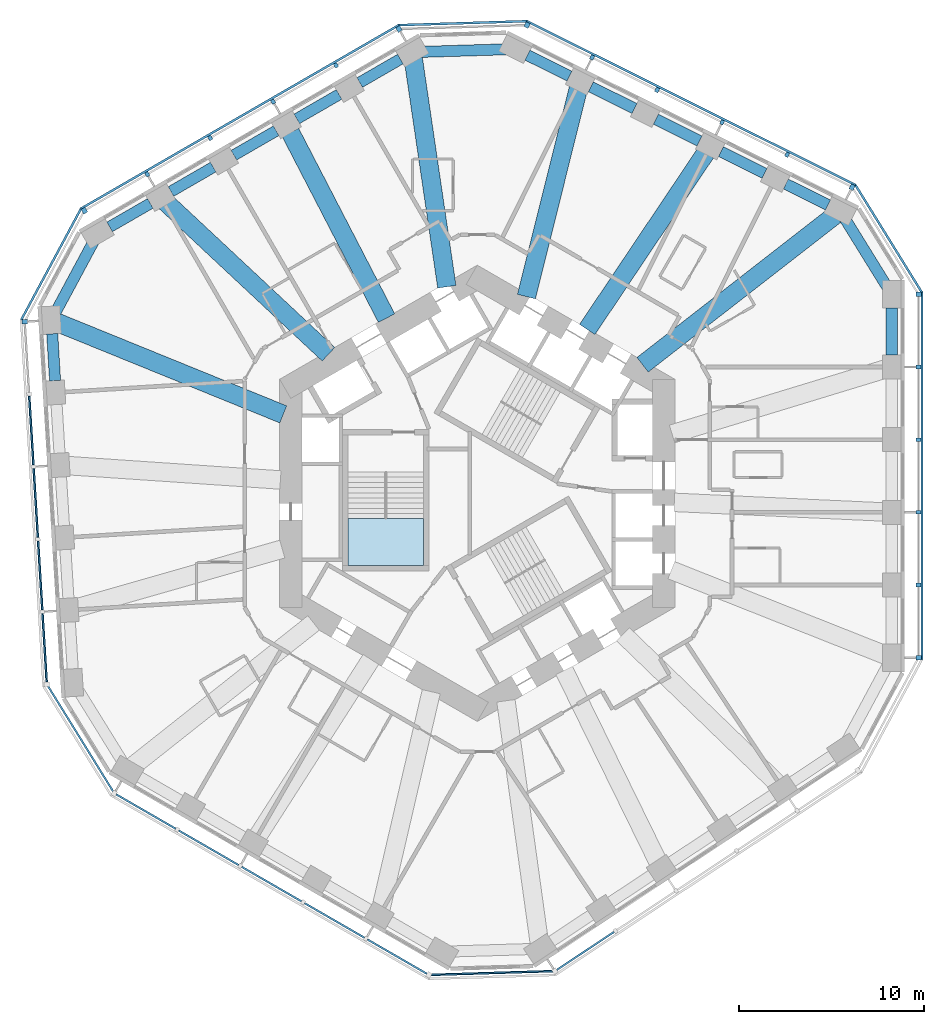
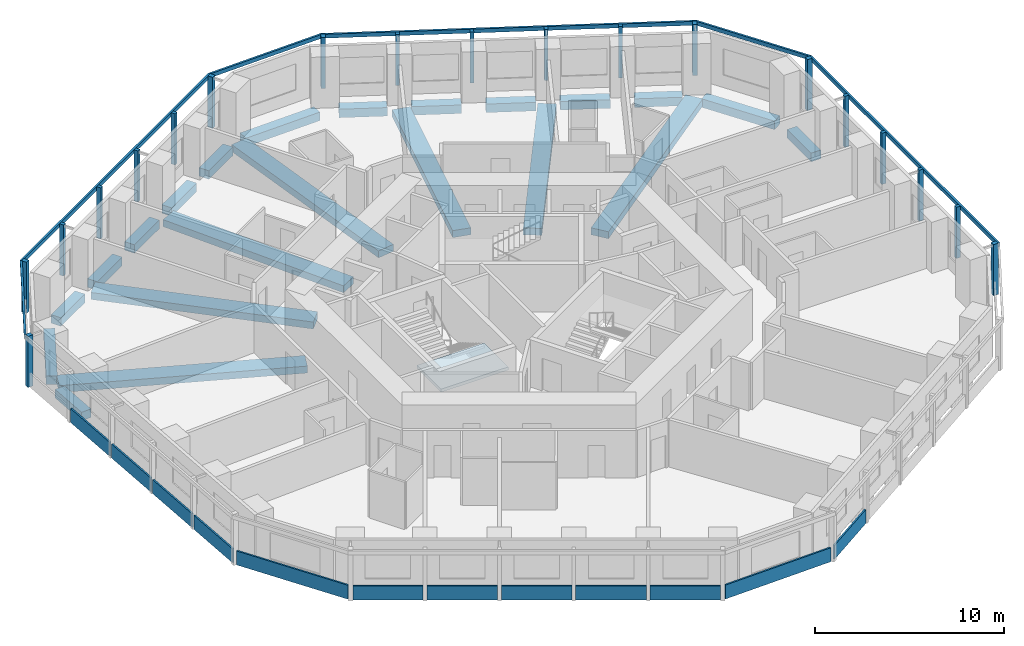
# One storey, part 2 of 12: 25 members, 22 beams, 12 plates, 1 slab, 12 elements without a shape of their own.
"""IFC4 building model written with IfcOpenShell, lengths in metres."""

from ifc_helpers import new_model, si_unit, direction, frame, origin, origin_2d, place, context, subcontext, project, spatial, polyline, rectangle, outline, extrude, material, layer, layer_set, material_profile, profile_set, type_object, element, aggregate, save


model = new_model("IFC4")

# Units and contexts
model_context = context("Model", 3, precision=1e-05, world=origin(), true_north=direction((0.0, 1.0)))
body_context = subcontext(model_context, "Body", "Model", "MODEL_VIEW")
ifc_project = project(units=[si_unit("LENGTHUNIT", "METRE"), si_unit("AREAUNIT", "SQUARE_METRE"), si_unit("VOLUMEUNIT", "CUBIC_METRE"), si_unit("PLANEANGLEUNIT", "RADIAN"), si_unit("MASSUNIT", "GRAM", prefix="KILO")], contexts=[model_context])

# Site, building, storey
site_placement = place(None, origin())
site = spatial("IfcSite", under=ifc_project, at=site_placement, CompositionType="ELEMENT")
building_placement = place(site_placement, origin())
building = spatial("IfcBuilding", under=site, at=building_placement, Name="Vanh Sen Convention Tower", CompositionType="ELEMENT")
storey_placement = place(building_placement, frame((0.0, 0.0, 44.0)))
storey = spatial("IfcBuildingStorey", under=building, at=storey_placement, Name="L07", CompositionType="ELEMENT", Elevation=44.0)

# Curtain wall, members
ifc_material_1 = material(Name="Concrete C50/60", Category="concrete")
curtain_wall_type = type_object("IfcCurtainWallType", Name="Outer skin hotel zone", PredefinedType="NOTDEFINED", material=ifc_material_1)
curtain_wall_1_placement = place(storey_placement, origin())
curtain_wall_1 = element("IfcCurtainWall", 1, at=curtain_wall_1_placement, inside=storey, type_object=curtain_wall_type, Name="OUTER SKIN E L07", PredefinedType="NOTDEFINED")
ifc_material_profile_1 = material_profile(ifc_material_1, rectangle(XDim=0.25, YDim=0.300048828125, at=origin_2d()), Name="Outer skin precast corner fin 250 x 300")
ifc_profile_set_1 = profile_set([ifc_material_profile_1], Name="Concrete C50/60")
member_type_1 = type_object("IfcMemberType", Name="Outer skin precast corner fin 250 x 300", PredefinedType="MULLION", material=ifc_profile_set_1)
member_1_placement = place(storey_placement, frame((23.89990234375, -8.899169921875, 0.0), z_axis=(0.0, 0.0, 1.0), x_axis=(0.0, 1.0, 0.0)))
member_1 = element("IfcMember", 2, at=member_1_placement, type_object=member_type_1, Name="OUTER SKIN CORNER FIN 1 E L07", PredefinedType="MULLION", context=body_context, shape_type="SweptSolid", body=[
    extrude(rectangle(XDim=0.25, YDim=0.300048828125, at=origin_2d()), origin(), (0.0, 0.0, 1.0), 3.300048828125),
])
member_2_placement = place(storey_placement, frame((23.89990234375, 10.773681640625, 0.0), z_axis=(0.0, 0.0, 1.0), x_axis=(0.0, 1.0, 0.0)))
member_2 = element("IfcMember", 3, at=member_2_placement, type_object=member_type_1, Name="OUTER SKIN CORNER FIN 6 E L07", PredefinedType="MULLION", context=body_context, shape_type="SweptSolid", body=[
    extrude(rectangle(XDim=0.25, YDim=0.300048828125, at=origin_2d()), origin(), (0.0, 0.0, 1.0), 3.300048828125),
])

curtain_wall_2_placement = place(storey_placement, origin())
curtain_wall_2 = element("IfcCurtainWall", 4, at=curtain_wall_2_placement, inside=storey, type_object=curtain_wall_type, Name="OUTER SKIN NE L07", PredefinedType="NOTDEFINED")
member_3_placement = place(storey_placement, frame((20.305908203125, 16.581787109375, 0.0), z_axis=(0.0, 0.0, 1.0), x_axis=(-0.894934361602, 0.44619781311, 0.0)))
member_3 = element("IfcMember", 5, at=member_3_placement, type_object=member_type_1, Name="OUTER SKIN CORNER FIN 1 NE L07", PredefinedType="MULLION", context=body_context, shape_type="SweptSolid", body=[
    extrude(rectangle(XDim=0.25, YDim=0.300048828125, at=origin_2d()), origin(), (0.0, 0.0, 1.0), 3.300048828125),
])
member_4_placement = place(storey_placement, frame((2.699951171875, 25.35986328125, 0.0), z_axis=(0.0, 0.0, 1.0), x_axis=(-0.894934361602, 0.44619781311, 0.0)))
member_4 = element("IfcMember", 6, at=member_4_placement, type_object=member_type_1, Name="OUTER SKIN CORNER FIN 6 NE L07", PredefinedType="MULLION", context=body_context, shape_type="SweptSolid", body=[
    extrude(rectangle(XDim=0.25, YDim=0.300048828125, at=origin_2d()), origin(), (0.0, 0.0, 1.0), 3.300048828125),
])

curtain_wall_3_placement = place(storey_placement, origin())
curtain_wall_3 = element("IfcCurtainWall", 7, at=curtain_wall_3_placement, inside=storey, type_object=curtain_wall_type, Name="OUTER SKIN NW L07", PredefinedType="NOTDEFINED")
member_5_placement = place(storey_placement, frame((-4.242919921875, 25.147705078125, 0.0), z_axis=(0.0, 0.0, 1.0), x_axis=(-0.866025403784, -0.5, 0.0)))
member_5 = element("IfcMember", 8, at=member_5_placement, type_object=member_type_1, Name="OUTER SKIN CORNER FIN 1 NW L07", PredefinedType="MULLION", context=body_context, shape_type="SweptSolid", body=[
    extrude(rectangle(XDim=0.25, YDim=0.300048828125, at=origin_2d()), origin(), (0.0, 0.0, 1.0), 3.300048828125),
])
member_6_placement = place(storey_placement, frame((-21.2802734375, 15.31103515625, 0.0), z_axis=(0.0, 0.0, 1.0), x_axis=(-0.866025403784, -0.5, 0.0)))
member_6 = element("IfcMember", 9, at=member_6_placement, type_object=member_type_1, Name="OUTER SKIN CORNER FIN 6 NW L07", PredefinedType="MULLION", context=body_context, shape_type="SweptSolid", body=[
    extrude(rectangle(XDim=0.25, YDim=0.300048828125, at=origin_2d()), origin(), (0.0, 0.0, 1.0), 3.300048828125),
])

# Curtain wall, member
curtain_wall_4_placement = place(storey_placement, origin())
curtain_wall_4 = element("IfcCurtainWall", 10, at=curtain_wall_4_placement, inside=storey, type_object=curtain_wall_type, Name="OUTER SKIN W L07", PredefinedType="NOTDEFINED")
member_7_placement = place(storey_placement, frame((-24.51318359375, 9.294677734375, 0.0), z_axis=(0.0, 0.0, 1.0), x_axis=(0.061048539535, -0.998134798422, 0.0)))
member_7 = element("IfcMember", 11, at=member_7_placement, type_object=member_type_1, Name="OUTER SKIN CORNER FIN 1 W L07", PredefinedType="MULLION", context=body_context, shape_type="SweptSolid", body=[
    extrude(rectangle(XDim=0.25, YDim=0.300048828125, at=origin_2d()), origin(), (0.0, 0.0, 1.0), 3.300048828125),
])

# Member
ifc_material_profile_2 = material_profile(ifc_material_1, rectangle(XDim=0.199951171875, YDim=0.25, at=origin_2d()), Name="Outer skin precast fin 200 x 250")
ifc_profile_set_2 = profile_set([ifc_material_profile_2], Name="Concrete C50/60")
member_type_2 = type_object("IfcMemberType", Name="Outer skin precast fin 200 x 250", PredefinedType="MULLION", material=ifc_profile_set_2)
member_8_placement = place(storey_placement, frame((23.89990234375, -4.964599609375, 0.0), z_axis=(0.0, 0.0, 1.0), x_axis=(0.0, 1.0, 0.0)))
member_8 = element("IfcMember", 12, at=member_8_placement, type_object=member_type_2, Name="OUTER SKIN fin 2 E L07", PredefinedType="MULLION", context=body_context, shape_type="SweptSolid", body=[
    extrude(rectangle(XDim=0.199951171875, YDim=0.25, at=origin_2d()), origin(), (0.0, 0.0, 1.0), 3.300048828125),
])

member_9_placement = place(storey_placement, frame((23.89990234375, -1.030029296875, 0.0), z_axis=(0.0, 0.0, 1.0), x_axis=(0.0, 1.0, 0.0)))
member_9 = element("IfcMember", 13, at=member_9_placement, type_object=member_type_2, Name="OUTER SKIN fin 3 E L07", PredefinedType="MULLION", context=body_context, shape_type="SweptSolid", body=[
    extrude(rectangle(XDim=0.199951171875, YDim=0.25, at=origin_2d()), origin(), (0.0, 0.0, 1.0), 3.300048828125),
])

member_10_placement = place(storey_placement, frame((23.89990234375, 2.904541015625, 0.0), z_axis=(0.0, 0.0, 1.0), x_axis=(0.0, 1.0, 0.0)))
member_10 = element("IfcMember", 14, at=member_10_placement, type_object=member_type_2, Name="OUTER SKIN fin 4 E L07", PredefinedType="MULLION", context=body_context, shape_type="SweptSolid", body=[
    extrude(rectangle(XDim=0.199951171875, YDim=0.25, at=origin_2d()), origin(), (0.0, 0.0, 1.0), 3.300048828125),
])

member_11_placement = place(storey_placement, frame((23.89990234375, 6.839111328125, 0.0), z_axis=(0.0, 0.0, 1.0), x_axis=(0.0, 1.0, 0.0)))
member_11 = element("IfcMember", 15, at=member_11_placement, type_object=member_type_2, Name="OUTER SKIN fin 5 E L07", PredefinedType="MULLION", context=body_context, shape_type="SweptSolid", body=[
    extrude(rectangle(XDim=0.199951171875, YDim=0.25, at=origin_2d()), origin(), (0.0, 0.0, 1.0), 3.300048828125),
])

member_12_placement = place(storey_placement, frame((16.78466796875, 18.33740234375, 0.0), z_axis=(0.0, 0.0, 1.0), x_axis=(-0.894934361602, 0.44619781311, 0.0)))
member_12 = element("IfcMember", 16, at=member_12_placement, type_object=member_type_2, Name="OUTER SKIN fin 2 NE L07", PredefinedType="MULLION", context=body_context, shape_type="SweptSolid", body=[
    extrude(rectangle(XDim=0.199951171875, YDim=0.25, at=origin_2d()), origin(), (0.0, 0.0, 1.0), 3.300048828125),
])

member_13_placement = place(storey_placement, frame((13.263427734375, 20.093017578125, 0.0), z_axis=(0.0, 0.0, 1.0), x_axis=(-0.894934361602, 0.44619781311, 0.0)))
member_13 = element("IfcMember", 17, at=member_13_placement, type_object=member_type_2, Name="OUTER SKIN fin 3 NE L07", PredefinedType="MULLION", context=body_context, shape_type="SweptSolid", body=[
    extrude(rectangle(XDim=0.199951171875, YDim=0.25, at=origin_2d()), origin(), (0.0, 0.0, 1.0), 3.300048828125),
])

member_14_placement = place(storey_placement, frame((9.7421875, 21.8486328125, 0.0), z_axis=(0.0, 0.0, 1.0), x_axis=(-0.894934361602, 0.44619781311, 0.0)))
member_14 = element("IfcMember", 18, at=member_14_placement, type_object=member_type_2, Name="OUTER SKIN fin 4 NE L07", PredefinedType="MULLION", context=body_context, shape_type="SweptSolid", body=[
    extrude(rectangle(XDim=0.199951171875, YDim=0.25, at=origin_2d()), origin(), (0.0, 0.0, 1.0), 3.300048828125),
])

member_15_placement = place(storey_placement, frame((6.22119140625, 23.604248046875, 0.0), z_axis=(0.0, 0.0, 1.0), x_axis=(-0.894934361602, 0.44619781311, 0.0)))
member_15 = element("IfcMember", 19, at=member_15_placement, type_object=member_type_2, Name="OUTER SKIN fin 5 NE L07", PredefinedType="MULLION", context=body_context, shape_type="SweptSolid", body=[
    extrude(rectangle(XDim=0.199951171875, YDim=0.25, at=origin_2d()), origin(), (0.0, 0.0, 1.0), 3.300048828125),
])

member_16_placement = place(storey_placement, frame((-7.650390625, 23.180419921875, 0.0), z_axis=(0.0, 0.0, 1.0), x_axis=(-0.866025403784, -0.5, 0.0)))
member_16 = element("IfcMember", 20, at=member_16_placement, type_object=member_type_2, Name="OUTER SKIN fin 2 NW L07", PredefinedType="MULLION", context=body_context, shape_type="SweptSolid", body=[
    extrude(rectangle(XDim=0.199951171875, YDim=0.25, at=origin_2d()), origin(), (0.0, 0.0, 1.0), 3.300048828125),
])

member_17_placement = place(storey_placement, frame((-11.057861328125, 21.212890625, 0.0), z_axis=(0.0, 0.0, 1.0), x_axis=(-0.866025403784, -0.5, 0.0)))
member_17 = element("IfcMember", 21, at=member_17_placement, type_object=member_type_2, Name="OUTER SKIN fin 3 NW L07", PredefinedType="MULLION", context=body_context, shape_type="SweptSolid", body=[
    extrude(rectangle(XDim=0.199951171875, YDim=0.25, at=origin_2d()), origin(), (0.0, 0.0, 1.0), 3.300048828125),
])

member_18_placement = place(storey_placement, frame((-14.46533203125, 19.24560546875, 0.0), z_axis=(0.0, 0.0, 1.0), x_axis=(-0.866025403784, -0.5, 0.0)))
member_18 = element("IfcMember", 22, at=member_18_placement, type_object=member_type_2, Name="OUTER SKIN fin 4 NW L07", PredefinedType="MULLION", context=body_context, shape_type="SweptSolid", body=[
    extrude(rectangle(XDim=0.199951171875, YDim=0.25, at=origin_2d()), origin(), (0.0, 0.0, 1.0), 3.300048828125),
])

member_19_placement = place(storey_placement, frame((-17.872802734375, 17.2783203125, 0.0), z_axis=(0.0, 0.0, 1.0), x_axis=(-0.866025403784, -0.5, 0.0)))
member_19 = element("IfcMember", 23, at=member_19_placement, type_object=member_type_2, Name="OUTER SKIN fin 5 NW L07", PredefinedType="MULLION", context=body_context, shape_type="SweptSolid", body=[
    extrude(rectangle(XDim=0.199951171875, YDim=0.25, at=origin_2d()), origin(), (0.0, 0.0, 1.0), 3.300048828125),
])

ifc_material_profile_3 = material_profile(ifc_material_1, rectangle(XDim=0.1201171875, YDim=0.25, at=origin_2d()), Name="Outer skin precast spandrel band 250 x 120")
ifc_profile_set_3 = profile_set([ifc_material_profile_3], Name="Concrete C50/60")
member_type_3 = type_object("IfcMemberType", Name="Outer skin precast spandrel band 250 x 120", PredefinedType="USERDEFINED", material=ifc_profile_set_3)
member_20_placement = place(storey_placement, frame((24.0849609375, -9.024169921875, 3.175048828125), z_axis=(0.0, 1.0, 0.0), x_axis=(-1.0, 0.0, 0.0)))
member_20 = element("IfcMember", 24, at=member_20_placement, type_object=member_type_3, Name="OUTER SKIN spandrel band E L07", ObjectType="TRANSOM", PredefinedType="USERDEFINED", context=body_context, shape_type="SweptSolid", body=[
    extrude(rectangle(XDim=0.1201171875, YDim=0.25, at=origin_2d()), origin(), (0.0, 0.0, 1.0), 19.9228515625),
])

aggregate(curtain_wall_1, [member_1, member_8, member_9, member_10, member_11, member_2, member_20])

# Curtain wall, member
curtain_wall_5_placement = place(storey_placement, origin())
curtain_wall_5 = element("IfcCurtainWall", 25, at=curtain_wall_5_placement, inside=storey, type_object=curtain_wall_type, Name="OUTER SKIN CH1 L07", PredefinedType="NOTDEFINED")
member_21_placement = place(storey_placement, frame((24.07861328125, 10.88427734375, 3.175048828125), z_axis=(-0.526195864379, 0.850363400148, 0.0), x_axis=(-0.850363400148, -0.526195864379, 0.0)))
member_21 = element("IfcMember", 26, at=member_21_placement, type_object=member_type_3, Name="OUTER SKIN spandrel band CH1 L07", ObjectType="TRANSOM", PredefinedType="USERDEFINED", context=body_context, shape_type="SweptSolid", body=[
    extrude(rectangle(XDim=0.1201171875, YDim=0.25, at=origin_2d()), origin(), (0.0, 0.0, 1.0), 6.830078125),
])
aggregate(curtain_wall_5, [member_21])

# Member
member_22_placement = place(storey_placement, frame((20.500244140625, 16.69140625, 3.175048828125), z_axis=(-0.894931498167, 0.446203556227, 0.0), x_axis=(-0.446203556227, -0.894931498167, 0.0)))
member_22 = element("IfcMember", 27, at=member_22_placement, type_object=member_type_3, Name="OUTER SKIN spandrel band NE L07", ObjectType="TRANSOM", PredefinedType="USERDEFINED", context=body_context, shape_type="SweptSolid", body=[
    extrude(rectangle(XDim=0.1201171875, YDim=0.25, at=origin_2d()), origin(), (0.0, 0.0, 1.0), 19.9228515625),
])

aggregate(curtain_wall_2, [member_3, member_12, member_13, member_14, member_15, member_4, member_22])

# Curtain wall, member
curtain_wall_6_placement = place(storey_placement, origin())
curtain_wall_6 = element("IfcCurtainWall", 28, at=curtain_wall_6_placement, inside=storey, type_object=curtain_wall_type, Name="OUTER SKIN CH2 L07", PredefinedType="NOTDEFINED")
member_23_placement = place(storey_placement, frame((2.693603515625, 25.569580078125, 3.175048828125), z_axis=(-0.999533472857, -0.030542374483, 0.0), x_axis=(0.030542374483, -0.999533472857, 0.0)))
member_23 = element("IfcMember", 29, at=member_23_placement, type_object=member_type_3, Name="OUTER SKIN spandrel band CH2 L07", ObjectType="TRANSOM", PredefinedType="USERDEFINED", context=body_context, shape_type="SweptSolid", body=[
    extrude(rectangle(XDim=0.1201171875, YDim=0.25, at=origin_2d()), origin(), (0.0, 0.0, 1.0), 6.9462890625),
])
aggregate(curtain_wall_6, [member_23])

# Member
member_24_placement = place(storey_placement, frame((-4.227294921875, 25.370361328125, 3.175048828125), z_axis=(-0.866028047459, -0.499995420993, 0.0), x_axis=(0.499995420993, -0.866028047459, 0.0)))
member_24 = element("IfcMember", 30, at=member_24_placement, type_object=member_type_3, Name="OUTER SKIN spandrel band NW L07", ObjectType="TRANSOM", PredefinedType="USERDEFINED", context=body_context, shape_type="SweptSolid", body=[
    extrude(rectangle(XDim=0.1201171875, YDim=0.25, at=origin_2d()), origin(), (0.0, 0.0, 1.0), 19.923095703125),
])

aggregate(curtain_wall_3, [member_5, member_16, member_17, member_18, member_19, member_6, member_24])

# Curtain wall, member
curtain_wall_7_placement = place(storey_placement, origin())
curtain_wall_7 = element("IfcCurtainWall", 31, at=curtain_wall_7_placement, inside=storey, type_object=curtain_wall_type, Name="OUTER SKIN CH3 L07", PredefinedType="NOTDEFINED")
member_25_placement = place(storey_placement, frame((-21.46533203125, 15.410400390625, 3.175048828125), z_axis=(-0.473315186561, -0.880893145717, 0.0), x_axis=(0.880893145717, -0.473315186561, 0.0)))
member_25 = element("IfcMember", 32, at=member_25_placement, type_object=member_type_3, Name="OUTER SKIN spandrel band CH3 L07", ObjectType="TRANSOM", PredefinedType="USERDEFINED", context=body_context, shape_type="SweptSolid", body=[
    extrude(rectangle(XDim=0.1201171875, YDim=0.25, at=origin_2d()), origin(), (0.0, 0.0, 1.0), 6.829833984375),
])
aggregate(curtain_wall_7, [member_25])

# Beams
ifc_material_2 = material(Name="Concrete C50/60", Category="concrete")
ifc_material_profile_4 = material_profile(ifc_material_2, rectangle(XDim=1.0, YDim=0.449951171875, at=origin_2d()), Name="RC 1000X450")
ifc_profile_set_4 = profile_set([ifc_material_profile_4], Name="Concrete C50/60")
beam_type_1 = type_object("IfcBeamType", Name="Radial floor beam 1000 x 450", PredefinedType="BEAM", material=ifc_profile_set_4)
beam_1_placement = place(storey_placement, frame((19.41455078125, 15.093994140625, -0.47509765625), z_axis=(-0.789473256885, -0.613784959627, 0.0), x_axis=(0.613784959627, -0.789473256885, 0.0)))
element("IfcBeam", 33, at=beam_1_placement, inside=storey, type_object=beam_type_1, Name="Radial beam 04 L07", PredefinedType="BEAM", context=body_context, shape_type="SweptSolid", body=[
    extrude(rectangle(XDim=1.0, YDim=0.449951171875, at=origin_2d()), origin(), (0.0, 0.0, 1.0), 13.248779296875),
])
beam_2_placement = place(storey_placement, frame((12.374267578125, 18.4345703125, -0.47509765625), z_axis=(-0.557324389615, -0.830294842053, 0.0), x_axis=(0.830294842053, -0.557324389615, 0.0)))
element("IfcBeam", 34, at=beam_2_placement, inside=storey, type_object=beam_type_1, Name="Radial beam 05 L07", PredefinedType="BEAM", context=body_context, shape_type="SweptSolid", body=[
    extrude(rectangle(XDim=1.0, YDim=0.449951171875, at=origin_2d()), origin(), (0.0, 0.0, 1.0), 11.51708984375),
])
beam_3_placement = place(storey_placement, frame((5.47802734375, 21.921875, -0.47509765625), z_axis=(-0.242426812684, -0.97016969675, 0.0), x_axis=(0.97016969675, -0.242426812684, 0.0)))
element("IfcBeam", 35, at=beam_3_placement, inside=storey, type_object=beam_type_1, Name="Radial beam 06 L07", PredefinedType="BEAM", context=body_context, shape_type="SweptSolid", body=[
    extrude(rectangle(XDim=1.0, YDim=0.449951171875, at=origin_2d()), origin(), (0.0, 0.0, 1.0), 11.614501953125),
])
beam_4_placement = place(storey_placement, frame((-3.46923828125, 23.560791015625, -0.47509765625), z_axis=(0.145669310946, -0.989333337075, 0.0), x_axis=(0.989333337075, 0.145669310946, 0.0)))
element("IfcBeam", 36, at=beam_4_placement, inside=storey, type_object=beam_type_1, Name="Radial beam 07 L07", PredefinedType="BEAM", context=body_context, shape_type="SweptSolid", body=[
    extrude(rectangle(XDim=1.0, YDim=0.449951171875, at=origin_2d()), origin(), (0.0, 0.0, 1.0), 12.5078125),
])
beam_5_placement = place(storey_placement, frame((-10.115478515625, 19.53759765625, -0.47509765625), z_axis=(0.459758563435, -0.8880439535, 0.0), x_axis=(0.8880439535, 0.459758563435, 0.0)))
element("IfcBeam", 37, at=beam_5_placement, inside=storey, type_object=beam_type_1, Name="Radial beam 08 L07", PredefinedType="BEAM", context=body_context, shape_type="SweptSolid", body=[
    extrude(rectangle(XDim=1.0, YDim=0.449951171875, at=origin_2d()), origin(), (0.0, 0.0, 1.0), 11.317626953125),
])
beam_6_placement = place(storey_placement, frame((-16.880859375, 15.773193359375, -0.47509765625), z_axis=(0.730669888391, -0.682730923717, 0.0), x_axis=(0.682730923717, 0.730669888391, 0.0)))
element("IfcBeam", 38, at=beam_6_placement, inside=storey, type_object=beam_type_1, Name="Radial beam 09 L07", PredefinedType="BEAM", context=body_context, shape_type="SweptSolid", body=[
    extrude(rectangle(XDim=1.0, YDim=0.449951171875, at=origin_2d()), origin(), (0.0, 0.0, 1.0), 12.074951171875),
])
beam_7_placement = place(storey_placement, frame((-22.779052734375, 9.266357421875, -0.47509765625), z_axis=(0.926290168233, -0.376810992719, 0.0), x_axis=(0.376810992719, 0.926290168233, 0.0)))
element("IfcBeam", 39, at=beam_7_placement, inside=storey, type_object=beam_type_1, Name="Radial beam 10 L07", PredefinedType="BEAM", context=body_context, shape_type="SweptSolid", body=[
    extrude(rectangle(XDim=1.0, YDim=0.449951171875, at=origin_2d()), origin(), (0.0, 0.0, 1.0), 13.24853515625),
])
ifc_material_profile_5 = material_profile(ifc_material_2, rectangle(XDim=0.60009765625, YDim=0.550048828125, at=origin_2d()), Name="RC 600X550")
ifc_profile_set_5 = profile_set([ifc_material_profile_5], Name="Concrete C50/60")
beam_type_2 = type_object("IfcBeamType", Name="Spandrel beam 600 x 550", PredefinedType="SPANDREL", material=ifc_profile_set_5)
beam_8_placement = place(storey_placement, frame((22.449951171875, 7.484130859375, -0.52490234375), z_axis=(0.0, 1.0, 0.0), x_axis=(-1.0, 0.0, 0.0)))
element("IfcBeam", 40, at=beam_8_placement, inside=storey, type_object=beam_type_2, Name="Spandrel beam 05 L07", PredefinedType="SPANDREL", context=body_context, shape_type="SweptSolid", body=[
    extrude(rectangle(XDim=0.60009765625, YDim=0.550048828125, at=origin_2d()), origin(), (0.0, 0.0, 1.0), 2.544677734375),
])
beam_9_placement = place(storey_placement, frame((22.207763671875, 11.165283203125, -0.52490234375), z_axis=(-0.526233808765, 0.850339919392, 0.0), x_axis=(-0.850339919392, -0.526233808765, 0.0)))
element("IfcBeam", 41, at=beam_9_placement, inside=storey, type_object=beam_type_2, Name="Spandrel beam 06 L07", PredefinedType="SPANDREL", context=body_context, shape_type="SweptSolid", body=[
    extrude(rectangle(XDim=0.60009765625, YDim=0.550048828125, at=origin_2d()), origin(), (0.0, 0.0, 1.0), 4.38330078125),
])
beam_10_placement = place(storey_placement, frame((18.9921875, 15.616455078125, -0.52490234375), z_axis=(-0.89492552091, 0.446215544356, 0.0), x_axis=(-0.446215544356, -0.89492552091, 0.0)))
element("IfcBeam", 42, at=beam_10_placement, inside=storey, type_object=beam_type_2, Name="Spandrel beam 07 L07", PredefinedType="SPANDREL", context=body_context, shape_type="SweptSolid", body=[
    extrude(rectangle(XDim=0.60009765625, YDim=0.550048828125, at=origin_2d()), origin(), (0.0, 0.0, 1.0), 2.544677734375),
])
beam_11_placement = place(storey_placement, frame((15.560546875, 17.327392578125, -0.52490234375), z_axis=(-0.894925098079, 0.446216392379, 0.0), x_axis=(-0.446216392379, -0.894925098079, 0.0)))
element("IfcBeam", 43, at=beam_11_placement, inside=storey, type_object=beam_type_2, Name="Spandrel beam 08 L07", PredefinedType="SPANDREL", context=body_context, shape_type="SweptSolid", body=[
    extrude(rectangle(XDim=0.60009765625, YDim=0.550048828125, at=origin_2d()), origin(), (0.0, 0.0, 1.0), 2.644775390625),
])
for number, where, z_axis, x_axis, name in (
    (44, (12.039306640625, 19.0830078125, -0.52490234375), (-0.894906716461, 0.446253256383, 0.0), (-0.446253256383, -0.894906716461, 0.0), "Spandrel beam 09 L07"),
    (45, (8.51806640625, 20.838623046875, -0.52490234375), (-0.894906716461, 0.446253256383, 0.0), (-0.446253256383, -0.894906716461, 0.0), "Spandrel beam 10 L07"),
):
    element("IfcBeam", number, at=place(storey_placement, frame(where, z_axis=z_axis, x_axis=x_axis)), inside=storey, type_object=beam_type_2, Name=name, PredefinedType="SPANDREL", context=body_context, shape_type="SweptSolid", body=[
        extrude(rectangle(XDim=0.60009765625, YDim=0.550048828125, at=origin_2d()), origin(), (0.0, 0.0, 1.0), 2.64453125),
    ])
beam_12_placement = place(storey_placement, frame((4.996826171875, 22.59423828125, -0.52490234375), z_axis=(-0.89492552091, 0.446215544356, 0.0), x_axis=(-0.446215544356, -0.89492552091, 0.0)))
element("IfcBeam", 46, at=beam_12_placement, inside=storey, type_object=beam_type_2, Name="Spandrel beam 11 L07", PredefinedType="SPANDREL", context=body_context, shape_type="SweptSolid", body=[
    extrude(rectangle(XDim=0.60009765625, YDim=0.550048828125, at=origin_2d()), origin(), (0.0, 0.0, 1.0), 2.544677734375),
])
beam_13_placement = place(storey_placement, frame((1.56005859375, 24.047119140625, -0.52490234375), z_axis=(-0.99953328448, -0.030548538698, 0.0), x_axis=(0.030548538698, -0.99953328448, 0.0)))
element("IfcBeam", 47, at=beam_13_placement, inside=storey, type_object=beam_type_2, Name="Spandrel beam 12 L07", PredefinedType="SPANDREL", context=body_context, shape_type="SweptSolid", body=[
    extrude(rectangle(XDim=0.60009765625, YDim=0.550048828125, at=origin_2d()), origin(), (0.0, 0.0, 1.0), 4.58740234375),
])
beam_14_placement = place(storey_placement, frame((-4.1630859375, 23.519287109375, -0.52490234375), z_axis=(-0.866056180903, -0.499946688677, 0.0), x_axis=(0.499946688677, -0.866056180903, 0.0)))
element("IfcBeam", 48, at=beam_14_placement, inside=storey, type_object=beam_type_2, Name="Spandrel beam 13 L07", PredefinedType="SPANDREL", context=body_context, shape_type="SweptSolid", body=[
    extrude(rectangle(XDim=0.60009765625, YDim=0.550048828125, at=origin_2d()), origin(), (0.0, 0.0, 1.0), 2.544677734375),
])
for number, where, z_axis, x_axis, name in (
    (49, (-7.484130859375, 21.60205078125, -0.52490234375), (-0.866030315638, -0.499991492324, 0.0), (0.499991492324, -0.866030315638, 0.0), "Spandrel beam 14 L07"),
    (50, (-10.8916015625, 19.634765625, -0.52490234375), (-0.866030315638, -0.499991492324, 0.0), (0.499991492324, -0.866030315638, 0.0), "Spandrel beam 15 L07"),
    (51, (-14.299072265625, 17.66748046875, -0.52490234375), (-0.866030315638, -0.499991492324, 0.0), (0.499991492324, -0.866030315638, 0.0), "Spandrel beam 16 L07"),
):
    element("IfcBeam", number, at=place(storey_placement, frame(where, z_axis=z_axis, x_axis=x_axis)), inside=storey, type_object=beam_type_2, Name=name, PredefinedType="SPANDREL", context=body_context, shape_type="SweptSolid", body=[
        extrude(rectangle(XDim=0.60009765625, YDim=0.550048828125, at=origin_2d()), origin(), (0.0, 0.0, 1.0), 2.64453125),
    ])
beam_15_placement = place(storey_placement, frame((-17.70654296875, 15.7001953125, -0.52490234375), z_axis=(-0.866032197868, -0.499988232117, 0.0), x_axis=(0.499988232117, -0.866032197868, 0.0)))
element("IfcBeam", 52, at=beam_15_placement, inside=storey, type_object=beam_type_2, Name="Spandrel beam 17 L07", PredefinedType="SPANDREL", context=body_context, shape_type="SweptSolid", body=[
    extrude(rectangle(XDim=0.60009765625, YDim=0.550048828125, at=origin_2d()), origin(), (0.0, 0.0, 1.0), 2.54443359375),
])
beam_16_placement = place(storey_placement, frame((-20.773193359375, 13.64990234375, -0.52490234375), z_axis=(-0.47333237284, -0.880883911093, 0.0), x_axis=(0.880883911093, -0.47333237284, 0.0)))
element("IfcBeam", 53, at=beam_16_placement, inside=storey, type_object=beam_type_2, Name="Spandrel beam 18 L07", PredefinedType="SPANDREL", context=body_context, shape_type="SweptSolid", body=[
    extrude(rectangle(XDim=0.60009765625, YDim=0.550048828125, at=origin_2d()), origin(), (0.0, 0.0, 1.0), 4.38330078125),
])
beam_17_placement = place(storey_placement, frame((-23.020263671875, 8.639404296875, -0.52490234375), z_axis=(0.061022277531, -0.998136404328, 0.0), x_axis=(0.998136404328, 0.061022277531, 0.0)))
element("IfcBeam", 54, at=beam_17_placement, inside=storey, type_object=beam_type_2, Name="Spandrel beam 19 L07", PredefinedType="SPANDREL", context=body_context, shape_type="SweptSolid", body=[
    extrude(rectangle(XDim=0.60009765625, YDim=0.550048828125, at=origin_2d()), origin(), (0.0, 0.0, 1.0), 2.54443359375),
])

# Plate
ifc_layer_1 = layer(ifc_material_1, 0.10009765625)
ifc_layer_set_1 = layer_set([ifc_layer_1], Name="Concrete C50/60")
plate_type = type_object("IfcPlateType", Name="Outer skin precast screen panel 100", PredefinedType="CURTAIN_PANEL", material=ifc_layer_set_1)
plate_1_placement = place(storey_placement, frame((-24.15283203125, 3.40380859375, 0.0), z_axis=(0.0, 0.0, 1.0), x_axis=(0.061048539535, -0.998134798422, 0.0)))
plate_1 = element("IfcPlate", 55, at=plate_1_placement, type_object=plate_type, Name="OUTER SKIN screen panel W-2", PredefinedType="CURTAIN_PANEL", context=body_context, shape_type="SweptSolid", body=[
    extrude(rectangle(XDim=3.734619140625, YDim=0.10009765625, at=origin_2d()), origin(), (0.0, 0.0, 1.0), 0.89990234375),
])

plate_2_placement = place(storey_placement, frame((-23.91259765625, -0.523681640625, 0.0), z_axis=(0.0, 0.0, 1.0), x_axis=(0.061046797461, -0.99813490497, 0.0)))
plate_2 = element("IfcPlate", 56, at=plate_2_placement, type_object=plate_type, Name="OUTER SKIN screen panel W-3", PredefinedType="CURTAIN_PANEL", context=body_context, shape_type="SweptSolid", body=[
    extrude(rectangle(XDim=3.734619140625, YDim=0.10009765625, at=origin_2d()), origin(), (0.0, 0.0, 1.0), 0.89990234375),
])

plate_3_placement = place(storey_placement, frame((-23.67236328125, -4.45068359375, 0.0), z_axis=(0.0, 0.0, 1.0), x_axis=(0.061048539535, -0.998134798422, 0.0)))
plate_3 = element("IfcPlate", 57, at=plate_3_placement, type_object=plate_type, Name="OUTER SKIN screen panel W-4", PredefinedType="CURTAIN_PANEL", context=body_context, shape_type="SweptSolid", body=[
    extrude(rectangle(XDim=3.734619140625, YDim=0.10009765625, at=origin_2d()), origin(), (0.0, 0.0, 1.0), 0.89990234375),
])

plate_4_placement = place(storey_placement, frame((-23.43310546875, -8.365478515625, 0.0), z_axis=(0.0, 0.0, 1.0), x_axis=(0.061046797461, -0.99813490497, 0.0)))
plate_4 = element("IfcPlate", 58, at=plate_4_placement, type_object=plate_type, Name="OUTER SKIN screen panel W-5", PredefinedType="CURTAIN_PANEL", context=body_context, shape_type="SweptSolid", body=[
    extrude(rectangle(XDim=3.709716796875, YDim=0.10009765625, at=origin_2d()), origin(), (0.0, 0.0, 1.0), 0.89990234375),
])

aggregate(curtain_wall_4, [member_7, plate_1, plate_2, plate_3, plate_4])

# Curtain wall, plate
curtain_wall_8_placement = place(storey_placement, origin())
curtain_wall_8 = element("IfcCurtainWall", 59, at=curtain_wall_8_placement, inside=storey, type_object=curtain_wall_type, Name="OUTER SKIN CH4 L07", PredefinedType="NOTDEFINED")
plate_5_placement = place(storey_placement, frame((-21.484619140625, -13.295166015625, 0.0), z_axis=(0.0, 0.0, 1.0), x_axis=(0.526205018755, -0.850357735448, 0.0)))
plate_5 = element("IfcPlate", 60, at=plate_5_placement, type_object=plate_type, Name="OUTER SKIN screen panel CH4-1", PredefinedType="CURTAIN_PANEL", context=body_context, shape_type="SweptSolid", body=[
    extrude(rectangle(XDim=6.6962890625, YDim=0.10009765625, at=origin_2d()), origin(), (0.0, 0.0, 1.0), 0.89990234375),
])
aggregate(curtain_wall_8, [plate_5])

# Curtain wall, plates
curtain_wall_9_placement = place(storey_placement, origin())
curtain_wall_9 = element("IfcCurtainWall", 61, at=curtain_wall_9_placement, inside=storey, type_object=curtain_wall_type, Name="OUTER SKIN SW L07", PredefinedType="NOTDEFINED")
plate_6_placement = place(storey_placement, frame((-17.9423828125, -17.23828125, 0.0), z_axis=(0.0, 0.0, 1.0), x_axis=(0.866028021766, -0.499995465495, 0.0)))
plate_6 = element("IfcPlate", 62, at=plate_6_placement, type_object=plate_type, Name="OUTER SKIN screen panel SW-1", PredefinedType="CURTAIN_PANEL", context=body_context, shape_type="SweptSolid", body=[
    extrude(rectangle(XDim=3.709716796875, YDim=0.10009765625, at=origin_2d()), origin(), (0.0, 0.0, 1.0), 0.89990234375),
])
plate_7_placement = place(storey_placement, frame((-14.5458984375, -19.19921875, 0.0), z_axis=(0.0, 0.0, 1.0), x_axis=(0.866032385017, -0.499987907955, 0.0)))
plate_7 = element("IfcPlate", 63, at=plate_7_placement, type_object=plate_type, Name="OUTER SKIN screen panel SW-2", PredefinedType="CURTAIN_PANEL", context=body_context, shape_type="SweptSolid", body=[
    extrude(rectangle(XDim=3.734619140625, YDim=0.10009765625, at=origin_2d()), origin(), (0.0, 0.0, 1.0), 0.89990234375),
])
plate_8_placement = place(storey_placement, frame((-11.138427734375, -21.16650390625, 0.0), z_axis=(0.0, 0.0, 1.0), x_axis=(0.866028021766, -0.499995465495, 0.0)))
plate_8 = element("IfcPlate", 64, at=plate_8_placement, type_object=plate_type, Name="OUTER SKIN screen panel SW-3", PredefinedType="CURTAIN_PANEL", context=body_context, shape_type="SweptSolid", body=[
    extrude(rectangle(XDim=3.734619140625, YDim=0.10009765625, at=origin_2d()), origin(), (0.0, 0.0, 1.0), 0.89990234375),
])
plate_9_placement = place(storey_placement, frame((-7.73095703125, -23.1337890625, 0.0), z_axis=(0.0, 0.0, 1.0), x_axis=(0.866028021766, -0.499995465495, 0.0)))
plate_9 = element("IfcPlate", 65, at=plate_9_placement, type_object=plate_type, Name="OUTER SKIN screen panel SW-4", PredefinedType="CURTAIN_PANEL", context=body_context, shape_type="SweptSolid", body=[
    extrude(rectangle(XDim=3.734619140625, YDim=0.10009765625, at=origin_2d()), origin(), (0.0, 0.0, 1.0), 0.89990234375),
])
plate_10_placement = place(storey_placement, frame((-4.334228515625, -25.094970703125, 0.0), z_axis=(0.0, 0.0, 1.0), x_axis=(0.866021040428, -0.500007557478, 0.0)))
plate_10 = element("IfcPlate", 66, at=plate_10_placement, type_object=plate_type, Name="OUTER SKIN screen panel SW-5", PredefinedType="CURTAIN_PANEL", context=body_context, shape_type="SweptSolid", body=[
    extrude(rectangle(XDim=3.70947265625, YDim=0.10009765625, at=origin_2d()), origin(), (0.0, 0.0, 1.0), 0.89990234375),
])
aggregate(curtain_wall_9, [plate_6, plate_7, plate_8, plate_9, plate_10])

# Curtain wall, plate
curtain_wall_10_placement = place(storey_placement, origin())
curtain_wall_10 = element("IfcCurtainWall", 67, at=curtain_wall_10_placement, inside=storey, type_object=curtain_wall_type, Name="OUTER SKIN CH5 L07", PredefinedType="NOTDEFINED")
plate_11_placement = place(storey_placement, frame((0.793701171875, -25.98046875, 0.0), z_axis=(0.0, 0.0, 1.0), x_axis=(0.999533484231, 0.03054200224, 0.0)))
plate_11 = element("IfcPlate", 68, at=plate_11_placement, type_object=plate_type, Name="OUTER SKIN screen panel CH5-1", PredefinedType="CURTAIN_PANEL", context=body_context, shape_type="SweptSolid", body=[
    extrude(rectangle(XDim=6.580078125, YDim=0.10009765625, at=origin_2d()), origin(), (0.0, 0.0, 1.0), 0.89990234375),
])
aggregate(curtain_wall_10, [plate_11])

curtain_wall_11_placement = place(storey_placement, origin())
curtain_wall_11 = element("IfcCurtainWall", 69, at=curtain_wall_11_placement, inside=storey, type_object=curtain_wall_type, Name="OUTER SKIN SE L07", PredefinedType="NOTDEFINED")
plate_12_placement = place(storey_placement, frame((5.858154296875, -24.783447265625, 0.0), z_axis=(0.0, 0.0, 1.0), x_axis=(0.833891601892, 0.55192825285, 0.0)))
plate_12 = element("IfcPlate", 70, at=plate_12_placement, type_object=plate_type, Name="OUTER SKIN screen panel SE-1", PredefinedType="CURTAIN_PANEL", context=body_context, shape_type="SweptSolid", body=[
    extrude(rectangle(XDim=3.709716796875, YDim=0.10009765625, at=origin_2d()), origin(), (0.0, 0.0, 1.0), 0.89990234375),
])
aggregate(curtain_wall_11, [plate_12])

# Stair, slab
ifc_material_3 = material(Name="Concrete C50/60", Category="concrete")
stair_type = type_object("IfcStairType", Name="Exit stair ST2 20 risers at 165.0", PredefinedType="HALF_TURN_STAIR", material=ifc_material_3)
stair_placement = place(storey_placement, origin())
stair = element("IfcStair", 71, at=stair_placement, inside=storey, type_object=stair_type, Name="Exit stair ST2 L07", PredefinedType="HALF_TURN_STAIR")
ifc_material_4 = material(Name="Concrete C40/50", Category="concrete")
ifc_layer_2 = layer(ifc_material_4, 0.199951171875)
ifc_layer_set_2 = layer_set([ifc_layer_2], Name="Concrete C40/50")
slab_type = type_object("IfcSlabType", Name="Stair landing 200", PredefinedType="LANDING", material=ifc_layer_set_2)
slab_placement = place(storey_placement, frame((0.0, 0.0, 1.449951171875)))
slab = element("IfcSlab", 72, at=slab_placement, type_object=slab_type, Name="ST2 landing 1", PredefinedType="LANDING", context=body_context, shape_type="SweptSolid", body=[
    extrude(outline(polyline([(-7.0, -1.369384765625), (-7.0, -3.909912109375), (-2.89990234375, -3.909912109375), (-2.89990234375, -1.369384765625), (-7.0, -1.369384765625)])), origin(), (0.0, 0.0, 1.0), 0.199951171875),
])
aggregate(stair, [slab])

save(model, "model.ifc")
